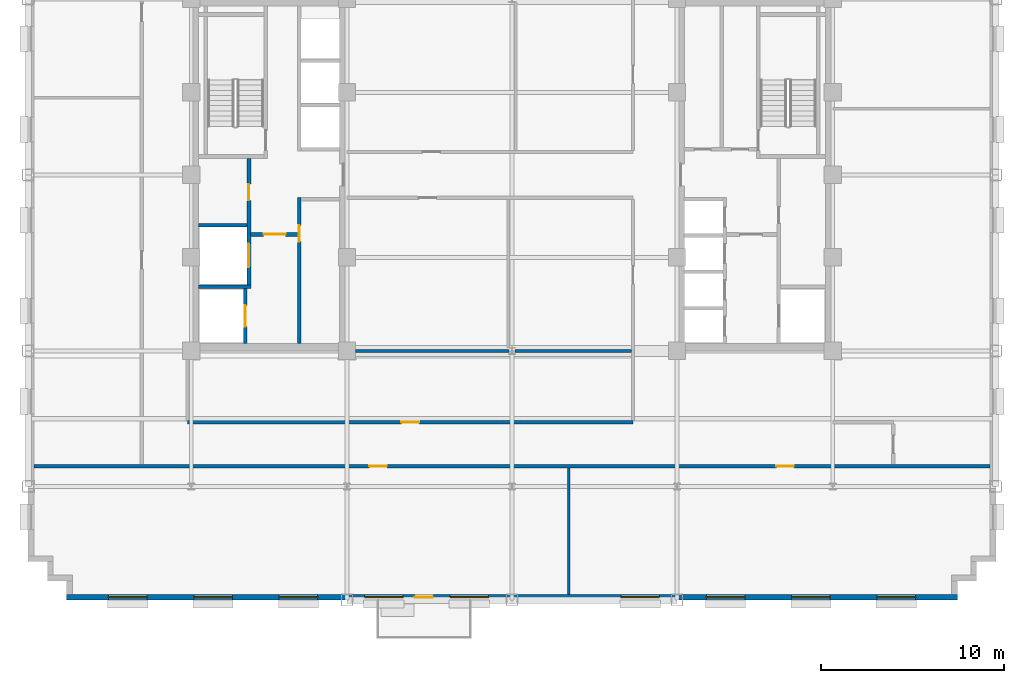
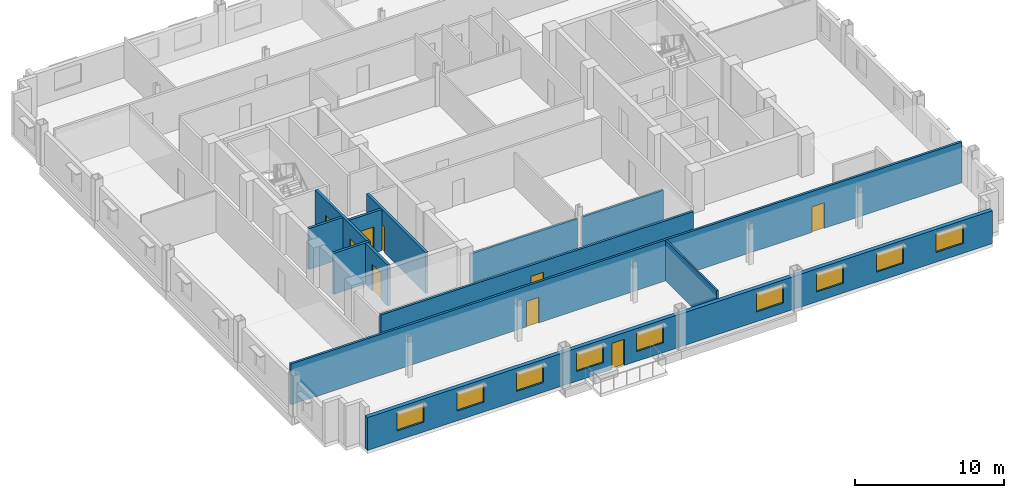
# One storey, part 6 of 14: 12 walls, 9 doors, 9 windows, 18 openings.
"""IFC4 building model written with IfcOpenShell, lengths in metres."""

from ifc_helpers import new_model, si_unit, direction, frame, frame_2d, origin, place, context, subcontext, project, spatial, rectangle, extrude, source, transform, mapped, material, layer, layer_set, type_object, type_shapes, element, fill, save


model = new_model("IFC4")

# Units and contexts
model_context = context("Model", 3, precision=1e-05, world=origin(), true_north=direction((0.0, 1.0)))
body_context = subcontext(model_context, "Body", "Model", "MODEL_VIEW")
ifc_project = project(units=[si_unit("LENGTHUNIT", "METRE"), si_unit("AREAUNIT", "SQUARE_METRE"), si_unit("VOLUMEUNIT", "CUBIC_METRE"), si_unit("PLANEANGLEUNIT", "RADIAN"), si_unit("MASSUNIT", "GRAM", prefix="KILO")], contexts=[model_context])

# Site, building, storey
site_placement = place(None, origin())
site = spatial("IfcSite", under=ifc_project, at=site_placement, CompositionType="ELEMENT")
building_placement = place(site_placement, origin())
building = spatial("IfcBuilding", under=site, at=building_placement, Name="Nuvemarco Arch Tower", CompositionType="ELEMENT")
storey_placement = place(building_placement, frame((0.0, 0.0, 138.449951171875)))
storey = spatial("IfcBuildingStorey", under=building, at=storey_placement, Name="L36", CompositionType="ELEMENT", Elevation=138.449951171875)

# Wall, openings, door, windows
ifc_material_1 = material(Name="Precast concrete C45/55", Category="concrete")
ifc_layer_1 = layer(ifc_material_1, 0.320068359375, Name="EW-MID-320")
ifc_layer_set_1 = layer_set([ifc_layer_1], Name="Precast concrete C45/55")
wall_type_1 = type_object("IfcWallType", Name="EW-MID-320", PredefinedType="STANDARD", material=ifc_layer_set_1)
wall_1_placement = place(storey_placement, frame((-24.300048828125, -23.0400390625, 0.0), z_axis=(0.0, 0.0, 1.0), x_axis=(1.0, 0.0, 0.0)))
wall_1 = element("IfcWall", 1, at=wall_1_placement, inside=storey, type_object=wall_type_1, Name="L36 exterior precast facade wall 1", PredefinedType="STANDARD", context=body_context, shape_type="SweptSolid", body=[
    extrude(rectangle(XDim=48.60009765625, YDim=0.320068359375, at=frame_2d((24.300048828125, 0.0))), origin(), (0.0, 0.0, 1.0), 2.705078125),
])
opening_1_placement = place(wall_1_placement, frame((19.97998046875, 0.0, 0.0), z_axis=(0.0, 0.0, 1.0), x_axis=(-1.0, 0.0, 0.0)))
opening_1 = element("IfcOpeningElement", 2, at=opening_1_placement, cuts=wall_1, Name="Opening ED-6", PredefinedType="OPENING", context=body_context, shape_type="SweptSolid", body=[
    extrude(rectangle(XDim=0.97998046875, YDim=2.14990234375, at=frame_2d((0.489990234375, 1.074951171875))), frame((0.0, 0.169921875, 0.0), z_axis=(0.0, -1.0, 0.0), x_axis=(1.0, 0.0, 0.0)), (0.0, 0.0, 1.0), 0.340087890625),
])
opening_2_placement = place(wall_1_placement, frame((2.280029296875, 0.0, 0.800048828125)))
opening_2 = element("IfcOpeningElement", 3, at=opening_2_placement, cuts=wall_1, Name="Opening WN-5", PredefinedType="OPENING", context=body_context, shape_type="SweptSolid", body=[
    extrude(rectangle(XDim=2.10009765625, YDim=1.56005859375, at=frame_2d((1.050048828125, 0.780029296875))), frame((0.0, 0.169921875, 0.0), z_axis=(0.0, -1.0, 0.0), x_axis=(1.0, 0.0, 0.0)), (0.0, 0.0, 1.0), 0.340087890625),
])
opening_3_placement = place(wall_1_placement, frame((6.93994140625, 0.0, 0.800048828125)))
opening_3 = element("IfcOpeningElement", 4, at=opening_3_placement, cuts=wall_1, Name="Opening WN-5", PredefinedType="OPENING", context=body_context, shape_type="SweptSolid", body=[
    extrude(rectangle(XDim=2.10009765625, YDim=1.56005859375, at=frame_2d((1.050048828125, 0.780029296875))), frame((0.0, 0.169921875, 0.0), z_axis=(0.0, -1.0, 0.0), x_axis=(1.0, 0.0, 0.0)), (0.0, 0.0, 1.0), 0.340087890625),
])
opening_4_placement = place(wall_1_placement, frame((11.60009765625, 0.0, 0.800048828125)))
opening_4 = element("IfcOpeningElement", 5, at=opening_4_placement, cuts=wall_1, Name="Opening WN-5", PredefinedType="OPENING", context=body_context, shape_type="SweptSolid", body=[
    extrude(rectangle(XDim=2.10009765625, YDim=1.56005859375, at=frame_2d((1.050048828125, 0.780029296875))), frame((0.0, 0.169921875, 0.0), z_axis=(0.0, -1.0, 0.0), x_axis=(1.0, 0.0, 0.0)), (0.0, 0.0, 1.0), 0.340087890625),
])
opening_5_placement = place(wall_1_placement, frame((16.260009765625, 0.0, 0.800048828125)))
opening_5 = element("IfcOpeningElement", 6, at=opening_5_placement, cuts=wall_1, Name="Opening WN-5", PredefinedType="OPENING", context=body_context, shape_type="SweptSolid", body=[
    extrude(rectangle(XDim=2.10009765625, YDim=1.56005859375, at=frame_2d((1.050048828125, 0.780029296875))), frame((0.0, 0.169921875, 0.0), z_axis=(0.0, -1.0, 0.0), x_axis=(1.0, 0.0, 0.0)), (0.0, 0.0, 1.0), 0.340087890625),
])
opening_6_placement = place(wall_1_placement, frame((20.919921875, 0.0, 0.800048828125)))
opening_6 = element("IfcOpeningElement", 7, at=opening_6_placement, cuts=wall_1, Name="Opening WN-5", PredefinedType="OPENING", context=body_context, shape_type="SweptSolid", body=[
    extrude(rectangle(XDim=2.10009765625, YDim=1.56005859375, at=frame_2d((1.050048828125, 0.780029296875))), frame((0.0, 0.169921875, 0.0), z_axis=(0.0, -1.0, 0.0), x_axis=(1.0, 0.0, 0.0)), (0.0, 0.0, 1.0), 0.340087890625),
])
opening_7_placement = place(wall_1_placement, frame((30.239990234375, 0.0, 0.800048828125)))
opening_7 = element("IfcOpeningElement", 8, at=opening_7_placement, cuts=wall_1, Name="Opening WN-5", PredefinedType="OPENING", context=body_context, shape_type="SweptSolid", body=[
    extrude(rectangle(XDim=2.10009765625, YDim=1.56005859375, at=frame_2d((1.050048828125, 0.780029296875))), frame((0.0, 0.169921875, 0.0), z_axis=(0.0, -1.0, 0.0), x_axis=(1.0, 0.0, 0.0)), (0.0, 0.0, 1.0), 0.340087890625),
])
opening_8_placement = place(wall_1_placement, frame((34.89990234375, 0.0, 0.800048828125)))
opening_8 = element("IfcOpeningElement", 9, at=opening_8_placement, cuts=wall_1, Name="Opening WN-5", PredefinedType="OPENING", context=body_context, shape_type="SweptSolid", body=[
    extrude(rectangle(XDim=2.10009765625, YDim=1.56005859375, at=frame_2d((1.050048828125, 0.780029296875))), frame((0.0, 0.169921875, 0.0), z_axis=(0.0, -1.0, 0.0), x_axis=(1.0, 0.0, 0.0)), (0.0, 0.0, 1.0), 0.340087890625),
])
opening_9_placement = place(wall_1_placement, frame((39.56005859375, 0.0, 0.800048828125)))
opening_9 = element("IfcOpeningElement", 10, at=opening_9_placement, cuts=wall_1, Name="Opening WN-5", PredefinedType="OPENING", context=body_context, shape_type="SweptSolid", body=[
    extrude(rectangle(XDim=2.10009765625, YDim=1.56005859375, at=frame_2d((1.050048828125, 0.780029296875))), frame((0.0, 0.169921875, 0.0), z_axis=(0.0, -1.0, 0.0), x_axis=(1.0, 0.0, 0.0)), (0.0, 0.0, 1.0), 0.340087890625),
])
opening_10_placement = place(wall_1_placement, frame((44.219970703125, 0.0, 0.800048828125)))
opening_10 = element("IfcOpeningElement", 11, at=opening_10_placement, cuts=wall_1, Name="Opening WN-5", PredefinedType="OPENING", context=body_context, shape_type="SweptSolid", body=[
    extrude(rectangle(XDim=2.10009765625, YDim=1.56005859375, at=frame_2d((1.050048828125, 0.780029296875))), frame((0.0, 0.169921875, 0.0), z_axis=(0.0, -1.0, 0.0), x_axis=(1.0, 0.0, 0.0)), (0.0, 0.0, 1.0), 0.340087890625),
])
ifc_material_2 = material(Name="Anodised bronze and laminated glass", Category="glass")
door_type_1 = type_object("IfcDoorType", Name="DR-EXT-BALC", OperationType="NOTDEFINED", PredefinedType="DOOR", material=ifc_material_2)
shared_shape_1 = source(origin(), body_context, "Body", "SweptSolid", [
    extrude(rectangle(XDim=0.97998046875, YDim=2.14990234375, at=frame_2d((0.489990234375, 1.074951171875))), frame((0.0, 0.02490234375, 0.0), z_axis=(0.0, -1.0, 0.0), x_axis=(1.0, 0.0, 0.0)), (0.0, 0.0, 1.0), 0.050048828125),
])
type_shapes(door_type_1, [shared_shape_1])
door_1_placement = place(opening_1_placement, origin())
door_1 = element("IfcDoor", 12, at=door_1_placement, inside=storey, type_object=door_type_1, Name="L36 tree balcony access door", OperationType="SINGLE_SWING_RIGHT", OverallHeight=2.14990234375, OverallWidth=0.97998046875, PredefinedType="DOOR", context=body_context, shape_type="MappedRepresentation", body=[
    mapped(shared_shape_1, transform((0.0, 0.0, 0.0), scale=1.0)),
])
fill(opening_1, door_1)
ifc_material_3 = material(Name="Insulated solar-control glass", Category="glass")
window_type = type_object("IfcWindowType", Name="WN-MID-2100x1560", PartitioningType="DOUBLE_PANEL_VERTICAL", PredefinedType="WINDOW", material=ifc_material_3)
shared_shape_2 = source(origin(), body_context, "Body", "SweptSolid", [
    extrude(rectangle(XDim=2.10009765625, YDim=1.56005859375, at=frame_2d((1.050048828125, 0.780029296875))), frame((0.0, 0.030029296875, 0.0), z_axis=(0.0, -1.0, 0.0), x_axis=(1.0, 0.0, 0.0)), (0.0, 0.0, 1.0), 0.06005859375),
])
type_shapes(window_type, [shared_shape_2])
window_1_placement = place(opening_2_placement, origin())
window_1 = element("IfcWindow", 13, at=window_1_placement, inside=storey, type_object=window_type, Name="L36 punched facade window 1", OverallHeight=1.56005859375, OverallWidth=2.10009765625, PartitioningType="SINGLE_PANEL", PredefinedType="WINDOW", context=body_context, shape_type="MappedRepresentation", body=[
    mapped(shared_shape_2, transform((0.0, 0.0, 0.0), scale=1.0)),
])
fill(opening_2, window_1)
window_2_placement = place(opening_3_placement, origin())
window_2 = element("IfcWindow", 14, at=window_2_placement, inside=storey, type_object=window_type, Name="L36 punched facade window 2", OverallHeight=1.56005859375, OverallWidth=2.10009765625, PartitioningType="SINGLE_PANEL", PredefinedType="WINDOW", context=body_context, shape_type="MappedRepresentation", body=[
    mapped(shared_shape_2, transform((0.0, 0.0, 0.0), scale=1.0)),
])
fill(opening_3, window_2)
window_3_placement = place(opening_4_placement, origin())
window_3 = element("IfcWindow", 15, at=window_3_placement, inside=storey, type_object=window_type, Name="L36 punched facade window 3", OverallHeight=1.56005859375, OverallWidth=2.10009765625, PartitioningType="SINGLE_PANEL", PredefinedType="WINDOW", context=body_context, shape_type="MappedRepresentation", body=[
    mapped(shared_shape_2, transform((0.0, 0.0, 0.0), scale=1.0)),
])
fill(opening_4, window_3)
window_4_placement = place(opening_5_placement, origin())
window_4 = element("IfcWindow", 16, at=window_4_placement, inside=storey, type_object=window_type, Name="L36 punched facade window 4", OverallHeight=1.56005859375, OverallWidth=2.10009765625, PartitioningType="SINGLE_PANEL", PredefinedType="WINDOW", context=body_context, shape_type="MappedRepresentation", body=[
    mapped(shared_shape_2, transform((0.0, 0.0, 0.0), scale=1.0)),
])
fill(opening_5, window_4)
window_5_placement = place(opening_6_placement, origin())
window_5 = element("IfcWindow", 17, at=window_5_placement, inside=storey, type_object=window_type, Name="L36 punched facade window 5", OverallHeight=1.56005859375, OverallWidth=2.10009765625, PartitioningType="SINGLE_PANEL", PredefinedType="WINDOW", context=body_context, shape_type="MappedRepresentation", body=[
    mapped(shared_shape_2, transform((0.0, 0.0, 0.0), scale=1.0)),
])
fill(opening_6, window_5)
window_6_placement = place(opening_7_placement, origin())
window_6 = element("IfcWindow", 18, at=window_6_placement, inside=storey, type_object=window_type, Name="L36 punched facade window 7", OverallHeight=1.56005859375, OverallWidth=2.10009765625, PartitioningType="SINGLE_PANEL", PredefinedType="WINDOW", context=body_context, shape_type="MappedRepresentation", body=[
    mapped(shared_shape_2, transform((0.0, 0.0, 0.0), scale=1.0)),
])
fill(opening_7, window_6)
window_7_placement = place(opening_8_placement, origin())
window_7 = element("IfcWindow", 19, at=window_7_placement, inside=storey, type_object=window_type, Name="L36 punched facade window 8", OverallHeight=1.56005859375, OverallWidth=2.10009765625, PartitioningType="SINGLE_PANEL", PredefinedType="WINDOW", context=body_context, shape_type="MappedRepresentation", body=[
    mapped(shared_shape_2, transform((0.0, 0.0, 0.0), scale=1.0)),
])
fill(opening_8, window_7)
window_8_placement = place(opening_9_placement, origin())
window_8 = element("IfcWindow", 20, at=window_8_placement, inside=storey, type_object=window_type, Name="L36 punched facade window 9", OverallHeight=1.56005859375, OverallWidth=2.10009765625, PartitioningType="SINGLE_PANEL", PredefinedType="WINDOW", context=body_context, shape_type="MappedRepresentation", body=[
    mapped(shared_shape_2, transform((0.0, 0.0, 0.0), scale=1.0)),
])
fill(opening_9, window_8)
window_9_placement = place(opening_10_placement, origin())
window_9 = element("IfcWindow", 21, at=window_9_placement, inside=storey, type_object=window_type, Name="L36 punched facade window 10", OverallHeight=1.56005859375, OverallWidth=2.10009765625, PartitioningType="SINGLE_PANEL", PredefinedType="WINDOW", context=body_context, shape_type="MappedRepresentation", body=[
    mapped(shared_shape_2, transform((0.0, 0.0, 0.0), scale=1.0)),
])
fill(opening_10, window_9)

# Wall, openings, doors
ifc_material_4 = material(Name="Fire-rated gypsum drywall partition")
ifc_layer_2 = layer(ifc_material_4, 0.179931640625, Name="WL-CORR-180")
ifc_layer_set_2 = layer_set([ifc_layer_2], Name="Fire-rated gypsum drywall partition")
wall_type_2 = type_object("IfcWallType", Name="WL-CORR-180", PredefinedType="PARTITIONING", material=ifc_layer_set_2)
wall_2_placement = place(storey_placement, frame((-26.080078125, -15.89990234375, 0.0), z_axis=(0.0, 0.0, 1.0), x_axis=(1.0, 0.0, 0.0)))
wall_2 = element("IfcWall", 22, at=wall_2_placement, inside=storey, type_object=wall_type_2, Name="L36 interior wall IW-L36-001", PredefinedType="PARTITIONING", context=body_context, shape_type="SweptSolid", body=[
    extrude(rectangle(XDim=52.16015625, YDim=0.179931640625, at=frame_2d((26.080078125, 0.0))), origin(), (0.0, 0.0, 1.0), 3.360107421875),
])
opening_11_placement = place(wall_2_placement, frame((18.300048828125, 0.0, 0.0)))
opening_11 = element("IfcOpeningElement", 23, at=opening_11_placement, cuts=wall_2, Name="Opening FD-5", PredefinedType="OPENING", context=body_context, shape_type="SweptSolid", body=[
    extrude(rectangle(XDim=0.9599609375, YDim=2.10009765625, at=frame_2d((0.47998046875, 1.050048828125))), frame((0.0, 0.099853515625, 0.0), z_axis=(0.0, -1.0, 0.0), x_axis=(1.0, 0.0, 0.0)), (0.0, 0.0, 1.0), 0.199951171875),
])
opening_12_placement = place(wall_2_placement, frame((40.5, 0.0, 0.0)))
opening_12 = element("IfcOpeningElement", 24, at=opening_12_placement, cuts=wall_2, Name="Opening FD-5", PredefinedType="OPENING", context=body_context, shape_type="SweptSolid", body=[
    extrude(rectangle(XDim=0.9599609375, YDim=2.10009765625, at=frame_2d((0.47998046875, 1.050048828125))), frame((0.0, 0.099853515625, 0.0), z_axis=(0.0, -1.0, 0.0), x_axis=(1.0, 0.0, 0.0)), (0.0, 0.0, 1.0), 0.199951171875),
])
ifc_material_5 = material(Name="Timber fire door", Category="wood")
door_type_2 = type_object("IfcDoorType", Name="DR-CORR-FD", OperationType="NOTDEFINED", PredefinedType="DOOR", material=ifc_material_5)
shared_shape_3 = source(origin(), body_context, "Body", "SweptSolid", [
    extrude(rectangle(XDim=0.9599609375, YDim=2.10009765625, at=frame_2d((0.47998046875, 1.050048828125))), frame((0.0, 0.02490234375, 0.0), z_axis=(0.0, -1.0, 0.0), x_axis=(1.0, 0.0, 0.0)), (0.0, 0.0, 1.0), 0.050048828125),
])
type_shapes(door_type_2, [shared_shape_3])
door_2_placement = place(opening_11_placement, origin())
door_2 = element("IfcDoor", 25, at=door_2_placement, inside=storey, type_object=door_type_2, Name="L36 door DR-L36-S_1", OperationType="SINGLE_SWING_RIGHT", OverallHeight=2.10009765625, OverallWidth=0.9599609375, PredefinedType="DOOR", context=body_context, shape_type="MappedRepresentation", body=[
    mapped(shared_shape_3, transform((0.0, 0.0, 0.0), scale=1.0)),
])
fill(opening_11, door_2)
door_3_placement = place(opening_12_placement, origin())
door_3 = element("IfcDoor", 26, at=door_3_placement, inside=storey, type_object=door_type_2, Name="L36 door DR-L36-S_2", OperationType="SINGLE_SWING_RIGHT", OverallHeight=2.10009765625, OverallWidth=0.9599609375, PredefinedType="DOOR", context=body_context, shape_type="MappedRepresentation", body=[
    mapped(shared_shape_3, transform((0.0, 0.0, 0.0), scale=1.0)),
])
fill(opening_12, door_3)

# Wall, opening, door
wall_3_placement = place(storey_placement, frame((-17.699951171875, -13.5, 0.0), z_axis=(0.0, 0.0, 1.0), x_axis=(1.0, 0.0, 0.0)))
wall_3 = element("IfcWall", 27, at=wall_3_placement, inside=storey, type_object=wall_type_2, Name="L36 interior wall IW-L36-002", PredefinedType="PARTITIONING", context=body_context, shape_type="SweptSolid", body=[
    extrude(rectangle(XDim=24.300048828125, YDim=0.179931640625, at=frame_2d((12.14990234375, 0.0))), origin(), (0.0, 0.0, 1.0), 2.998046875),
])
opening_13_placement = place(wall_3_placement, frame((11.669921875, 0.0, 0.0)))
opening_13 = element("IfcOpeningElement", 28, at=opening_13_placement, cuts=wall_3, Name="Opening FD-5", PredefinedType="OPENING", context=body_context, shape_type="SweptSolid", body=[
    extrude(rectangle(XDim=0.9599609375, YDim=2.10009765625, at=frame_2d((0.47998046875, 1.050048828125))), frame((0.0, 0.099853515625, 0.0), z_axis=(0.0, -1.0, 0.0), x_axis=(1.0, 0.0, 0.0)), (0.0, 0.0, 1.0), 0.199951171875),
])
door_4_placement = place(opening_13_placement, origin())
door_4 = element("IfcDoor", 29, at=door_4_placement, inside=storey, type_object=door_type_2, Name="L36 door DR-L36-IN_S1", OperationType="SINGLE_SWING_LEFT", OverallHeight=2.10009765625, OverallWidth=0.9599609375, PredefinedType="DOOR", context=body_context, shape_type="MappedRepresentation", body=[
    mapped(shared_shape_3, transform((0.0, 0.0, 0.0), scale=1.0)),
])
fill(opening_13, door_4)

# Wall
ifc_material_6 = material(Name="Gypsum plasterboard partition")
ifc_layer_3 = layer(ifc_material_6, 0.139892578125, Name="WL-ROOM-140")
ifc_layer_set_3 = layer_set([ifc_layer_3], Name="Gypsum plasterboard partition")
wall_type_3 = type_object("IfcWallType", Name="WL-ROOM-140", PredefinedType="PARTITIONING", material=ifc_layer_set_3)
wall_4_placement = place(storey_placement, frame((3.10009765625, -22.8798828125, 0.0), z_axis=(0.0, 0.0, 1.0), x_axis=(0.0, 1.0, 0.0)))
element("IfcWall", 30, at=wall_4_placement, inside=storey, type_object=wall_type_3, Name="L36 interior wall IW-L36-025", PredefinedType="PARTITIONING", context=body_context, shape_type="SweptSolid", body=[
    extrude(rectangle(XDim=6.893798828125, YDim=0.139892578125, at=frame_2d((3.44677734375, 0.0))), origin(), (0.0, 0.0, 1.0), 3.360107421875),
])

# Wall, opening, door
ifc_material_7 = material(Name="Concrete C50/60", Category="concrete")
ifc_layer_4 = layer(ifc_material_7, 0.199951171875, Name="WL-SHAFT-220")
ifc_layer_set_4 = layer_set([ifc_layer_4], Name="Concrete C50/60")
wall_type_4 = type_object("IfcWallType", Name="WL-SHAFT-220", PredefinedType="SHEAR", material=ifc_layer_set_4)
wall_5_placement = place(storey_placement, frame((-14.550048828125, -9.205078125, 0.0), z_axis=(0.0, 0.0, 1.0), x_axis=(0.0, 1.0, 0.0)))
wall_5 = element("IfcWall", 31, at=wall_5_placement, inside=storey, type_object=wall_type_4, Name="L36 structural shaft wall SW-L36-W-SHE", PredefinedType="SHEAR", context=body_context, shape_type="SweptSolid", body=[
    extrude(rectangle(XDim=3.010009765625, YDim=0.199951171875, at=frame_2d((1.5048828125, 0.0))), origin(), (0.0, 0.0, 1.0), 3.3701171875),
])
opening_14_placement = place(wall_5_placement, frame((0.929931640625, 0.0, 0.0)))
opening_14 = element("IfcOpeningElement", 32, at=opening_14_placement, cuts=wall_5, Name="Opening LD-2", PredefinedType="OPENING", context=body_context, shape_type="SweptSolid", body=[
    extrude(rectangle(XDim=1.14990234375, YDim=2.14990234375, at=frame_2d((0.574951171875, 1.074951171875))), frame((0.0, 0.10986328125, 0.0), z_axis=(0.0, -1.0, 0.0), x_axis=(1.0, 0.0, 0.0)), (0.0, 0.0, 1.0), 0.219970703125),
])
ifc_material_8 = material(Name="Stainless steel lift door", Category="steel")
door_type_3 = type_object("IfcDoorType", Name="DR-LIFT-FIRE", OperationType="DOUBLE_DOOR_SLIDING", PredefinedType="DOOR", material=ifc_material_8)
shared_shape_4 = source(origin(), body_context, "Body", "SweptSolid", [
    extrude(rectangle(XDim=1.14990234375, YDim=2.14990234375, at=frame_2d((0.574951171875, 1.074951171875))), frame((0.0, 0.02490234375, 0.0), z_axis=(0.0, -1.0, 0.0), x_axis=(1.0, 0.0, 0.0)), (0.0, 0.0, 1.0), 0.050048828125),
])
type_shapes(door_type_3, [shared_shape_4])
door_5_placement = place(opening_14_placement, origin())
door_5 = element("IfcDoor", 33, at=door_5_placement, inside=storey, type_object=door_type_3, Name="L36 Lift landing sliding door FFL-1", OperationType="DOUBLE_DOOR_SLIDING", OverallHeight=2.14990234375, OverallWidth=1.14990234375, PredefinedType="DOOR", context=body_context, shape_type="MappedRepresentation", body=[
    mapped(shared_shape_4, transform((0.0, 0.0, 0.0), scale=1.0)),
])
fill(opening_14, door_5)

# Wall, openings, doors
wall_6_placement = place(storey_placement, frame((-14.35009765625, -6.199951171875, 0.0), z_axis=(0.0, 0.0, 1.0), x_axis=(0.0, 1.0, 0.0)))
wall_6 = element("IfcWall", 34, at=wall_6_placement, inside=storey, type_object=wall_type_4, Name="L36 structural shaft wall SW-L36-W-SVE", PredefinedType="SHEAR", context=body_context, shape_type="SweptSolid", body=[
    extrude(rectangle(XDim=7.10498046875, YDim=0.199951171875, at=frame_2d((3.552490234375, 0.0))), origin(), (0.0, 0.0, 1.0), 3.3701171875),
])
opening_15_placement = place(wall_6_placement, frame((5.68994140625, 0.0, 0.0), z_axis=(0.0, 0.0, 1.0), x_axis=(-1.0, 0.0, 0.0)))
opening_15 = element("IfcOpeningElement", 35, at=opening_15_placement, cuts=wall_6, Name="Opening FD-4", PredefinedType="OPENING", context=body_context, shape_type="SweptSolid", body=[
    extrude(rectangle(XDim=0.8798828125, YDim=2.10009765625, at=frame_2d((0.43994140625, 1.050048828125))), frame((0.0, 0.10986328125, 0.0), z_axis=(0.0, -1.0, 0.0), x_axis=(1.0, 0.0, 0.0)), (0.0, 0.0, 1.0), 0.219970703125),
])
opening_16_placement = place(wall_6_placement, frame((1.14990234375, 0.0, 0.0)))
opening_16 = element("IfcOpeningElement", 36, at=opening_16_placement, cuts=wall_6, Name="Opening LD-3", PredefinedType="OPENING", context=body_context, shape_type="SweptSolid", body=[
    extrude(rectangle(XDim=1.300048828125, YDim=2.199951171875, at=frame_2d((0.64990234375, 1.10009765625))), frame((0.0, 0.10986328125, 0.0), z_axis=(0.0, -1.0, 0.0), x_axis=(1.0, 0.0, 0.0)), (0.0, 0.0, 1.0), 0.219970703125),
])
ifc_material_9 = material(Name="Anodised steel fire door", Category="steel")
door_type_4 = type_object("IfcDoorType", Name="DR-RISER-FD", OperationType="NOTDEFINED", PredefinedType="DOOR", material=ifc_material_9)
shared_shape_5 = source(origin(), body_context, "Body", "SweptSolid", [
    extrude(rectangle(XDim=0.8798828125, YDim=2.10009765625, at=frame_2d((0.43994140625, 1.050048828125))), frame((0.0, 0.02490234375, 0.0), z_axis=(0.0, -1.0, 0.0), x_axis=(1.0, 0.0, 0.0)), (0.0, 0.0, 1.0), 0.050048828125),
])
type_shapes(door_type_4, [shared_shape_5])
door_6_placement = place(opening_15_placement, origin())
door_6 = element("IfcDoor", 37, at=door_6_placement, inside=storey, type_object=door_type_4, Name="L36 door FD-L36-WRIS", OperationType="SINGLE_SWING_RIGHT", OverallHeight=2.10009765625, OverallWidth=0.8798828125, PredefinedType="DOOR", context=body_context, shape_type="MappedRepresentation", body=[
    mapped(shared_shape_5, transform((0.0, 0.0, 0.0), scale=1.0)),
])
fill(opening_15, door_6)
door_type_5 = type_object("IfcDoorType", Name="DR-LIFT-SERV", OperationType="DOUBLE_DOOR_SLIDING", PredefinedType="DOOR", material=ifc_material_8)
shared_shape_6 = source(origin(), body_context, "Body", "SweptSolid", [
    extrude(rectangle(XDim=1.300048828125, YDim=2.199951171875, at=frame_2d((0.64990234375, 1.10009765625))), frame((0.0, 0.02490234375, 0.0), z_axis=(0.0, -1.0, 0.0), x_axis=(1.0, 0.0, 0.0)), (0.0, 0.0, 1.0), 0.050048828125),
])
type_shapes(door_type_5, [shared_shape_6])
door_7_placement = place(opening_16_placement, origin())
door_7 = element("IfcDoor", 38, at=door_7_placement, inside=storey, type_object=door_type_5, Name="L36 Lift landing sliding door SVL-1", OperationType="DOUBLE_DOOR_SLIDING", OverallHeight=2.199951171875, OverallWidth=1.300048828125, PredefinedType="DOOR", context=body_context, shape_type="MappedRepresentation", body=[
    mapped(shared_shape_6, transform((0.0, 0.0, 0.0), scale=1.0)),
])
fill(opening_16, door_7)

# Walls
wall_7_placement = place(storey_placement, frame((-17.10498046875, -6.10009765625, 0.0), z_axis=(0.0, 0.0, 1.0), x_axis=(1.0, 0.0, 0.0)))
element("IfcWall", 39, at=wall_7_placement, inside=storey, type_object=wall_type_4, Name="L36 structural shaft wall SW-L36-W-SH1", PredefinedType="SHEAR", context=body_context, shape_type="SweptSolid", body=[
    extrude(rectangle(XDim=2.85498046875, YDim=0.199951171875, at=frame_2d((1.427490234375, 0.0))), origin(), (0.0, 0.0, 1.0), 3.3701171875),
])
wall_8_placement = place(storey_placement, frame((-17.10498046875, -2.75, 0.0), z_axis=(0.0, 0.0, 1.0), x_axis=(1.0, 0.0, 0.0)))
element("IfcWall", 40, at=wall_8_placement, inside=storey, type_object=wall_type_4, Name="L36 structural shaft wall SW-L36-W-SH2", PredefinedType="SHEAR", context=body_context, shape_type="SweptSolid", body=[
    extrude(rectangle(XDim=2.659912109375, YDim=0.199951171875, at=frame_2d((1.330078125, 0.0))), origin(), (0.0, 0.0, 1.0), 3.3701171875),
])

# Wall, opening, door
wall_9_placement = place(storey_placement, frame((-11.60009765625, -9.205078125, 0.0), z_axis=(0.0, 0.0, 1.0), x_axis=(0.0, 1.0, 0.0)))
wall_9 = element("IfcWall", 41, at=wall_9_placement, inside=storey, type_object=wall_type_4, Name="L36 structural shaft wall SW-L36-W-PLW", PredefinedType="SHEAR", context=body_context, shape_type="SweptSolid", body=[
    extrude(rectangle(XDim=7.97509765625, YDim=0.199951171875, at=frame_2d((3.987548828125, 0.0))), origin(), (0.0, 0.0, 1.0), 3.3701171875),
])
opening_17_placement = place(wall_9_placement, frame((5.56494140625, 0.0, 0.0)))
opening_17 = element("IfcOpeningElement", 42, at=opening_17_placement, cuts=wall_9, Name="Opening FD-4", PredefinedType="OPENING", context=body_context, shape_type="SweptSolid", body=[
    extrude(rectangle(XDim=0.8798828125, YDim=2.10009765625, at=frame_2d((0.43994140625, 1.050048828125))), frame((0.0, 0.10986328125, 0.0), z_axis=(0.0, -1.0, 0.0), x_axis=(1.0, 0.0, 0.0)), (0.0, 0.0, 1.0), 0.219970703125),
])
door_8_placement = place(opening_17_placement, origin())
door_8 = element("IfcDoor", 43, at=door_8_placement, inside=storey, type_object=door_type_4, Name="L36 door FD-L36-WREC1", OperationType="SINGLE_SWING_RIGHT", OverallHeight=2.10009765625, OverallWidth=0.8798828125, PredefinedType="DOOR", context=body_context, shape_type="MappedRepresentation", body=[
    mapped(shared_shape_5, transform((0.0, 0.0, 0.0), scale=1.0)),
])
fill(opening_17, door_8)

wall_10_placement = place(storey_placement, frame((-14.2548828125, -3.25, 0.0), z_axis=(0.0, 0.0, 1.0), x_axis=(1.0, 0.0, 0.0)))
wall_10 = element("IfcWall", 44, at=wall_10_placement, inside=storey, type_object=wall_type_4, Name="L36 structural shaft wall SW-L36-W-FFN", PredefinedType="SHEAR", context=body_context, shape_type="SweptSolid", body=[
    extrude(rectangle(XDim=2.559814453125, YDim=0.199951171875, at=frame_2d((1.27978515625, 0.0))), origin(), (0.0, 0.0, 1.0), 3.3701171875),
])
opening_18_placement = place(wall_10_placement, frame((0.705078125, 0.0, 0.0)))
opening_18 = element("IfcOpeningElement", 45, at=opening_18_placement, cuts=wall_10, Name="Opening FD-2", PredefinedType="OPENING", context=body_context, shape_type="SweptSolid", body=[
    extrude(rectangle(XDim=1.199951171875, YDim=2.14990234375, at=frame_2d((0.60009765625, 1.074951171875))), frame((0.0, 0.10986328125, 0.0), z_axis=(0.0, -1.0, 0.0), x_axis=(1.0, 0.0, 0.0)), (0.0, 0.0, 1.0), 0.219970703125),
])
door_type_6 = type_object("IfcDoorType", Name="DR-FFLOB-FD", OperationType="NOTDEFINED", PredefinedType="DOOR", material=ifc_material_9)
shared_shape_7 = source(origin(), body_context, "Body", "SweptSolid", [
    extrude(rectangle(XDim=1.199951171875, YDim=2.14990234375, at=frame_2d((0.60009765625, 1.074951171875))), frame((0.0, 0.02490234375, 0.0), z_axis=(0.0, -1.0, 0.0), x_axis=(1.0, 0.0, 0.0)), (0.0, 0.0, 1.0), 0.050048828125),
])
type_shapes(door_type_6, [shared_shape_7])
door_9_placement = place(opening_18_placement, origin())
door_9 = element("IfcDoor", 46, at=door_9_placement, inside=storey, type_object=door_type_6, Name="L36 door FD-L36-WFF1", OperationType="SINGLE_SWING_RIGHT", OverallHeight=2.14990234375, OverallWidth=1.199951171875, PredefinedType="DOOR", context=body_context, shape_type="MappedRepresentation", body=[
    mapped(shared_shape_7, transform((0.0, 0.0, 0.0), scale=1.0)),
])
fill(opening_18, door_9)

# Walls
ifc_material_10 = material(Name="Acoustic gypsum drywall partition")
ifc_layer_5 = layer(ifc_material_10, 0.159912109375, Name="WL-TENANT-160")
ifc_layer_set_5 = layer_set([ifc_layer_5], Name="Acoustic gypsum drywall partition")
wall_type_5 = type_object("IfcWallType", Name="WL-TENANT-160", PredefinedType="PARTITIONING", material=ifc_layer_set_5)
wall_11_placement = place(storey_placement, frame((-8.529052734375, -9.60009765625, 0.0), z_axis=(0.0, 0.0, 1.0), x_axis=(1.0, 0.0, 0.0)))
element("IfcWall", 47, at=wall_11_placement, inside=storey, type_object=wall_type_5, Name="L36 interior wall IW-L36-004", PredefinedType="PARTITIONING", context=body_context, shape_type="SweptSolid", body=[
    extrude(rectangle(XDim=8.35302734375, YDim=0.159912109375, at=frame_2d((4.176513671875, 0.0))), origin(), (0.0, 0.0, 1.0), 2.405029296875),
])
wall_12_placement = place(storey_placement, frame((0.176025390625, -9.60009765625, 0.0), z_axis=(0.0, 0.0, 1.0), x_axis=(1.0, 0.0, 0.0)))
element("IfcWall", 48, at=wall_12_placement, inside=storey, type_object=wall_type_5, Name="L36 interior wall IW-L36-005", PredefinedType="PARTITIONING", context=body_context, shape_type="SweptSolid", body=[
    extrude(rectangle(XDim=6.337890625, YDim=0.159912109375, at=frame_2d((3.1689453125, 0.0))), origin(), (0.0, 0.0, 1.0), 2.405029296875),
])

save(model, "model.ifc")
